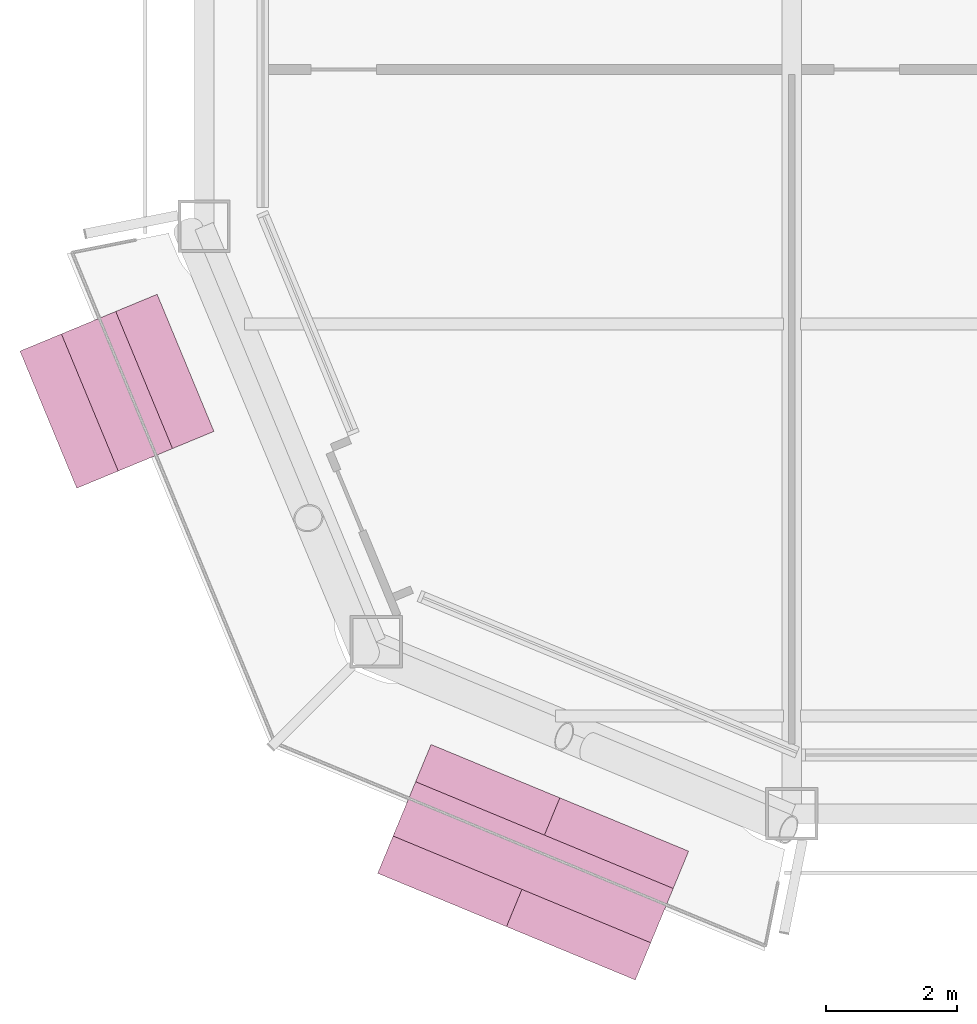
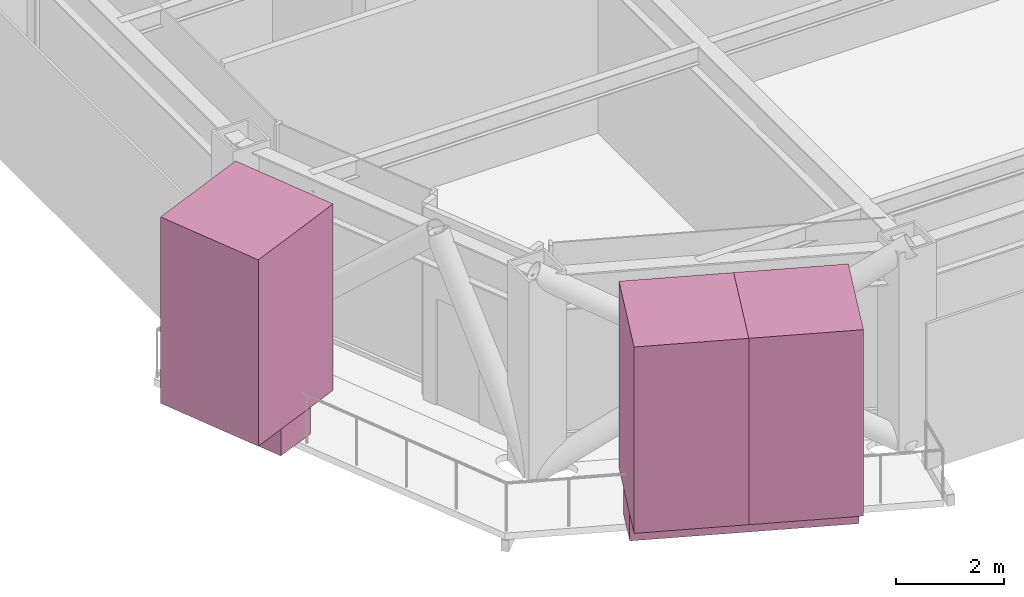
# One storey, part 23 of 23: 5 furnishings.
"""IFC4 building model written with IfcOpenShell, lengths in metres."""

from ifc_helpers import new_model, si_unit, direction, frame, origin, origin_2d, place, context, subcontext, project, spatial, rectangle, extrude, material, type_object, element, save


model = new_model("IFC4")

# Units and contexts
model_context = context("Model", 3, precision=1e-05, world=origin(), true_north=direction((0.0, 1.0)))
body_context = subcontext(model_context, "Body", "Model", "MODEL_VIEW")
ifc_project = project(units=[si_unit("LENGTHUNIT", "METRE"), si_unit("AREAUNIT", "SQUARE_METRE"), si_unit("VOLUMEUNIT", "CUBIC_METRE"), si_unit("PLANEANGLEUNIT", "RADIAN"), si_unit("MASSUNIT", "GRAM", prefix="KILO")], contexts=[model_context])

# Site, building, storey
site_placement = place(None, origin())
site = spatial("IfcSite", under=ifc_project, at=site_placement, CompositionType="ELEMENT")
building_placement = place(site_placement, origin())
building = spatial("IfcBuilding", under=site, at=building_placement, Name="Siwar Civic Tower", CompositionType="ELEMENT")
storey_placement = place(building_placement, frame((0.0, 0.0, 269.199951171875)))
storey = spatial("IfcBuildingStorey", under=building, at=storey_placement, Name="L58", CompositionType="ELEMENT", Elevation=269.199951171875)

# Furnishings
ifc_material_1 = material(Name="Planting soil and foliage")
furnishing_element_type_1 = type_object("IfcFurnishingElementType", Name="ENV-PLANTER", material=ifc_material_1)
furnishing_1_placement = place(storey_placement, frame((-28.333984375, -20.5283203125, 0.0), z_axis=(0.0, 0.0, 1.0), x_axis=(0.382683432365, -0.923879532511, 0.0)))
element("IfcFurnishingElement", 1, at=furnishing_1_placement, inside=storey, type_object=furnishing_element_type_1, Name="PLANTER SW 1", context=body_context, shape_type="SweptSolid", body=[
    extrude(rectangle(XDim=2.273193359375, YDim=0.89990234375, at=origin_2d()), origin(), (0.0, 0.0, 1.0), 0.60009765625),
])
furnishing_2_placement = place(storey_placement, frame((-21.960205078125, -27.740966796875, 0.0), z_axis=(0.0, 0.0, 1.0), x_axis=(0.923879532511, -0.382683432365, 0.0)))
element("IfcFurnishingElement", 2, at=furnishing_2_placement, inside=storey, type_object=furnishing_element_type_1, Name="PLANTER SW 2", context=body_context, shape_type="SweptSolid", body=[
    extrude(rectangle(XDim=4.270751953125, YDim=0.89990234375, at=origin_2d()), origin(), (0.0, 0.0, 1.0), 0.60009765625),
])
ifc_material_2 = material(Name="Planting soil and foliage")
furnishing_element_type_2 = type_object("IfcFurnishingElementType", Name="ENV-TREE", material=ifc_material_2)
furnishing_3_placement = place(storey_placement, frame((-28.333984375, -20.5283203125, 0.60009765625), z_axis=(0.0, 0.0, 1.0), x_axis=(0.382683432365, -0.923879532511, 0.0)))
element("IfcFurnishingElement", 3, at=furnishing_3_placement, inside=storey, type_object=furnishing_element_type_2, Name="PLANTER (TREE) SW 1.1", context=body_context, shape_type="SweptSolid", body=[
    extrude(rectangle(XDim=2.273193359375, YDim=2.273193359375, at=origin_2d()), origin(), (0.0, 0.0, 1.0), 4.199951171875),
])
for number, where, z_axis, x_axis, name in (
    (4, (-22.94677734375, -27.332275390625, 0.60009765625), (0.0, 0.0, 1.0), (0.923879532511, -0.382683432365, 0.0), "PLANTER (TREE) SW 2.1"),
    (5, (-20.973876953125, -28.1494140625, 0.60009765625), (0.0, 0.0, 1.0), (0.923879532511, -0.382683432365, 0.0), "PLANTER (TREE) SW 2.2"),
):
    element("IfcFurnishingElement", number, at=place(storey_placement, frame(where, z_axis=z_axis, x_axis=x_axis)), inside=storey, type_object=furnishing_element_type_2, Name=name, context=body_context, shape_type="SweptSolid", body=[
        extrude(rectangle(XDim=2.13525390625, YDim=2.13525390625, at=origin_2d()), origin(), (0.0, 0.0, 1.0), 4.199951171875),
    ])

save(model, "model.ifc")
